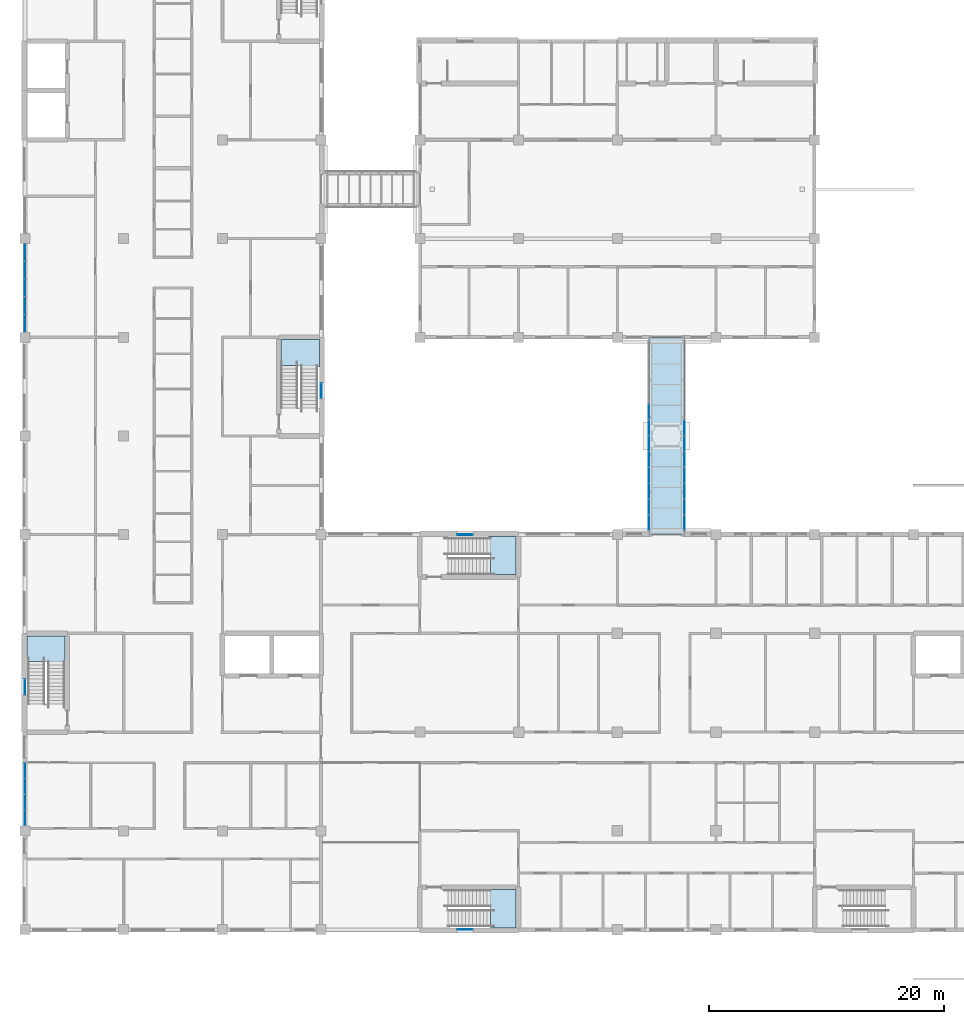
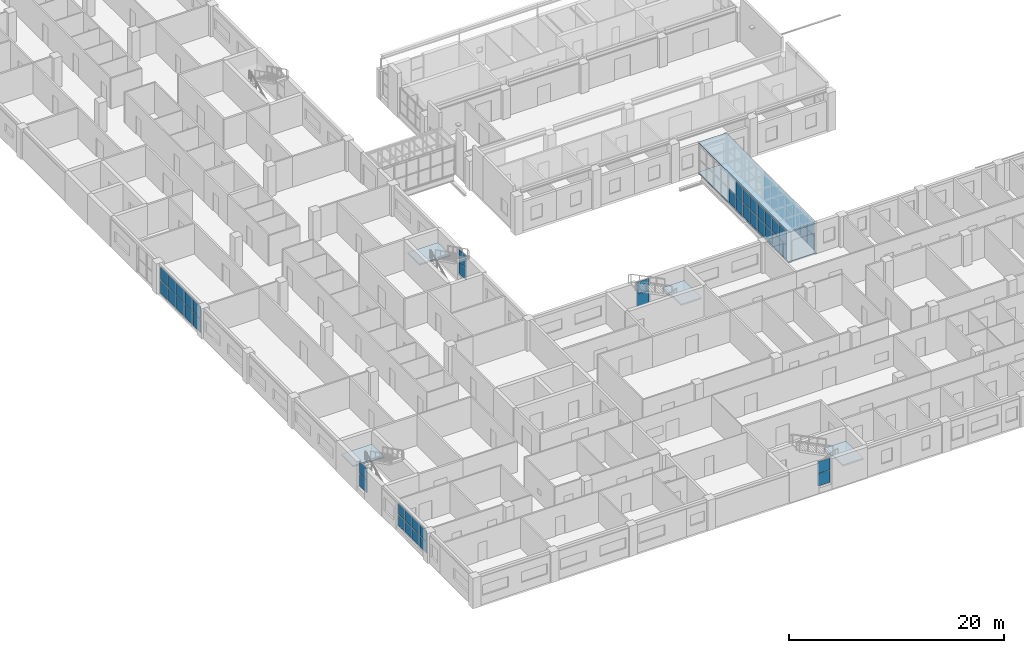
# One storey, part 43 of 94: 55 plates, 6 slabs, 12 elements without a shape of their own.
"""IFC4 building model written with IfcOpenShell, lengths in metres."""

from ifc_helpers import new_model, si_unit, direction, frame, origin, origin_2d, place, context, subcontext, project, spatial, polyline, rectangle, outline, extrude, material, layer, layer_set, type_object, element, aggregate, save


model = new_model("IFC4")

# Units and contexts
model_context = context("Model", 3, precision=1e-05, world=origin(), true_north=direction((0.0, 1.0)))
body_context = subcontext(model_context, "Body", "Model", "MODEL_VIEW")
ifc_project = project(units=[si_unit("LENGTHUNIT", "METRE"), si_unit("AREAUNIT", "SQUARE_METRE"), si_unit("VOLUMEUNIT", "CUBIC_METRE"), si_unit("PLANEANGLEUNIT", "RADIAN"), si_unit("MASSUNIT", "GRAM", prefix="KILO")], contexts=[model_context])

# Site, building, storey
site_placement = place(None, origin())
site = spatial("IfcSite", under=ifc_project, at=site_placement, CompositionType="ELEMENT")
building_placement = place(site_placement, origin())
building = spatial("IfcBuilding", under=site, at=building_placement, Name="Yavir Park General Hospital", CompositionType="ELEMENT")
storey_placement = place(building_placement, frame((0.0, 0.0, 4.5)))
storey = spatial("IfcBuildingStorey", under=building, at=storey_placement, Name="L01", CompositionType="ELEMENT", Elevation=4.5)

# Curtain wall, plates
ifc_material_1 = material(Name="Aluminium curtain wall frame with insulated glazing", Category="aluminium")
curtain_wall_type_1 = type_object("IfcCurtainWallType", Name="Bridge enclosure glazing, 3250 high, 1400 module", PredefinedType="NOTDEFINED", material=ifc_material_1)
curtain_wall_1_placement = place(storey_placement, origin())
curtain_wall_1 = element("IfcCurtainWall", 1, at=curtain_wall_1_placement, inside=storey, type_object=curtain_wall_type_1, Name="CW41 L01-024", PredefinedType="NOTDEFINED")
ifc_material_2 = material(Name="Solar-control insulated glazed unit 40 mm")
ifc_layer_1 = layer(ifc_material_2, 0.0400390625)
ifc_layer_set_1 = layer_set([ifc_layer_1], Name="Solar-control insulated glazed unit 40 mm")
plate_type_1 = type_object("IfcPlateType", Name="Bridge enclosure glazing, 3250 high panel 40", PredefinedType="CURTAIN_PANEL", material=ifc_layer_set_1)
plate_1_placement = place(storey_placement, frame((53.10009765625, 34.638916015625, 0.06005859375), z_axis=(0.0, 0.0, 1.0), x_axis=(0.0, 1.0, 0.0)))
plate_1 = element("IfcPlate", 2, at=plate_1_placement, type_object=plate_type_1, Name="CW41 panel 1.1", PredefinedType="CURTAIN_PANEL", context=body_context, shape_type="SweptSolid", body=[
    extrude(rectangle(XDim=1.2578125, YDim=0.0400390625, at=origin_2d()), origin(), (0.0, 0.0, 1.0), 1.534912109375),
])
plate_2_placement = place(storey_placement, frame((53.10009765625, 34.638916015625, 1.6552734375), z_axis=(0.0, 0.0, 1.0), x_axis=(0.0, 1.0, 0.0)))
plate_2 = element("IfcPlate", 3, at=plate_2_placement, type_object=plate_type_1, Name="CW41 panel 1.2", PredefinedType="CURTAIN_PANEL", context=body_context, shape_type="SweptSolid", body=[
    extrude(rectangle(XDim=1.2578125, YDim=0.0400390625, at=origin_2d()), origin(), (0.0, 0.0, 1.0), 1.534912109375),
])
plate_3_placement = place(storey_placement, frame((53.10009765625, 35.971923828125, 0.06005859375), z_axis=(0.0, 0.0, 1.0), x_axis=(0.0, 1.0, 0.0)))
plate_3 = element("IfcPlate", 4, at=plate_3_placement, type_object=plate_type_1, Name="CW41 panel 2.1", PredefinedType="CURTAIN_PANEL", context=body_context, shape_type="SweptSolid", body=[
    extrude(rectangle(XDim=1.287841796875, YDim=0.0400390625, at=origin_2d()), origin(), (0.0, 0.0, 1.0), 1.534912109375),
])
plate_4_placement = place(storey_placement, frame((53.10009765625, 35.971923828125, 1.6552734375), z_axis=(0.0, 0.0, 1.0), x_axis=(0.0, 1.0, 0.0)))
plate_4 = element("IfcPlate", 5, at=plate_4_placement, type_object=plate_type_1, Name="CW41 panel 2.2", PredefinedType="CURTAIN_PANEL", context=body_context, shape_type="SweptSolid", body=[
    extrude(rectangle(XDim=1.287841796875, YDim=0.0400390625, at=origin_2d()), origin(), (0.0, 0.0, 1.0), 1.534912109375),
])
plate_5_placement = place(storey_placement, frame((53.10009765625, 37.31982421875, 0.06005859375), z_axis=(0.0, 0.0, 1.0), x_axis=(0.0, 1.0, 0.0)))
plate_5 = element("IfcPlate", 6, at=plate_5_placement, type_object=plate_type_1, Name="CW41 panel 3.1", PredefinedType="CURTAIN_PANEL", context=body_context, shape_type="SweptSolid", body=[
    extrude(rectangle(XDim=1.287841796875, YDim=0.0400390625, at=origin_2d()), origin(), (0.0, 0.0, 1.0), 1.534912109375),
])
plate_6_placement = place(storey_placement, frame((53.10009765625, 37.31982421875, 1.6552734375), z_axis=(0.0, 0.0, 1.0), x_axis=(0.0, 1.0, 0.0)))
plate_6 = element("IfcPlate", 7, at=plate_6_placement, type_object=plate_type_1, Name="CW41 panel 3.2", PredefinedType="CURTAIN_PANEL", context=body_context, shape_type="SweptSolid", body=[
    extrude(rectangle(XDim=1.287841796875, YDim=0.0400390625, at=origin_2d()), origin(), (0.0, 0.0, 1.0), 1.534912109375),
])
plate_7_placement = place(storey_placement, frame((53.10009765625, 38.667724609375, 0.06005859375), z_axis=(0.0, 0.0, 1.0), x_axis=(0.0, 1.0, 0.0)))
plate_7 = element("IfcPlate", 8, at=plate_7_placement, type_object=plate_type_1, Name="CW41 panel 4.1", PredefinedType="CURTAIN_PANEL", context=body_context, shape_type="SweptSolid", body=[
    extrude(rectangle(XDim=1.287841796875, YDim=0.0400390625, at=origin_2d()), origin(), (0.0, 0.0, 1.0), 1.534912109375),
])
plate_8_placement = place(storey_placement, frame((53.10009765625, 38.667724609375, 1.6552734375), z_axis=(0.0, 0.0, 1.0), x_axis=(0.0, 1.0, 0.0)))
plate_8 = element("IfcPlate", 9, at=plate_8_placement, type_object=plate_type_1, Name="CW41 panel 4.2", PredefinedType="CURTAIN_PANEL", context=body_context, shape_type="SweptSolid", body=[
    extrude(rectangle(XDim=1.287841796875, YDim=0.0400390625, at=origin_2d()), origin(), (0.0, 0.0, 1.0), 1.534912109375),
])
plate_9_placement = place(storey_placement, frame((53.10009765625, 40.015625, 0.06005859375), z_axis=(0.0, 0.0, 1.0), x_axis=(0.0, 1.0, 0.0)))
plate_9 = element("IfcPlate", 10, at=plate_9_placement, type_object=plate_type_1, Name="CW41 panel 5.1", PredefinedType="CURTAIN_PANEL", context=body_context, shape_type="SweptSolid", body=[
    extrude(rectangle(XDim=1.287841796875, YDim=0.0400390625, at=origin_2d()), origin(), (0.0, 0.0, 1.0), 1.534912109375),
])
plate_10_placement = place(storey_placement, frame((53.10009765625, 40.015625, 1.6552734375), z_axis=(0.0, 0.0, 1.0), x_axis=(0.0, 1.0, 0.0)))
plate_10 = element("IfcPlate", 11, at=plate_10_placement, type_object=plate_type_1, Name="CW41 panel 5.2", PredefinedType="CURTAIN_PANEL", context=body_context, shape_type="SweptSolid", body=[
    extrude(rectangle(XDim=1.287841796875, YDim=0.0400390625, at=origin_2d()), origin(), (0.0, 0.0, 1.0), 1.534912109375),
])
plate_11_placement = place(storey_placement, frame((53.10009765625, 41.363525390625, 0.06005859375), z_axis=(0.0, 0.0, 1.0), x_axis=(0.0, 1.0, 0.0)))
plate_11 = element("IfcPlate", 12, at=plate_11_placement, type_object=plate_type_1, Name="CW41 panel 6.1", PredefinedType="CURTAIN_PANEL", context=body_context, shape_type="SweptSolid", body=[
    extrude(rectangle(XDim=1.287841796875, YDim=0.0400390625, at=origin_2d()), origin(), (0.0, 0.0, 1.0), 1.534912109375),
])
plate_12_placement = place(storey_placement, frame((53.10009765625, 41.363525390625, 1.6552734375), z_axis=(0.0, 0.0, 1.0), x_axis=(0.0, 1.0, 0.0)))
plate_12 = element("IfcPlate", 13, at=plate_12_placement, type_object=plate_type_1, Name="CW41 panel 6.2", PredefinedType="CURTAIN_PANEL", context=body_context, shape_type="SweptSolid", body=[
    extrude(rectangle(XDim=1.287841796875, YDim=0.0400390625, at=origin_2d()), origin(), (0.0, 0.0, 1.0), 1.534912109375),
])
plate_13_placement = place(storey_placement, frame((53.10009765625, 42.71142578125, 0.06005859375), z_axis=(0.0, 0.0, 1.0), x_axis=(0.0, 1.0, 0.0)))
plate_13 = element("IfcPlate", 14, at=plate_13_placement, type_object=plate_type_1, Name="CW41 panel 7.1", PredefinedType="CURTAIN_PANEL", context=body_context, shape_type="SweptSolid", body=[
    extrude(rectangle(XDim=1.287841796875, YDim=0.0400390625, at=origin_2d()), origin(), (0.0, 0.0, 1.0), 1.534912109375),
])
plate_14_placement = place(storey_placement, frame((53.10009765625, 42.71142578125, 1.6552734375), z_axis=(0.0, 0.0, 1.0), x_axis=(0.0, 1.0, 0.0)))
plate_14 = element("IfcPlate", 15, at=plate_14_placement, type_object=plate_type_1, Name="CW41 panel 7.2", PredefinedType="CURTAIN_PANEL", context=body_context, shape_type="SweptSolid", body=[
    extrude(rectangle(XDim=1.287841796875, YDim=0.0400390625, at=origin_2d()), origin(), (0.0, 0.0, 1.0), 1.534912109375),
])
plate_15_placement = place(storey_placement, frame((53.10009765625, 44.059326171875, 0.06005859375), z_axis=(0.0, 0.0, 1.0), x_axis=(0.0, 1.0, 0.0)))
plate_15 = element("IfcPlate", 16, at=plate_15_placement, type_object=plate_type_1, Name="CW41 panel 8.1", PredefinedType="CURTAIN_PANEL", context=body_context, shape_type="SweptSolid", body=[
    extrude(rectangle(XDim=1.287841796875, YDim=0.0400390625, at=origin_2d()), origin(), (0.0, 0.0, 1.0), 1.534912109375),
])
aggregate(curtain_wall_1, [plate_1, plate_2, plate_3, plate_4, plate_5, plate_6, plate_7, plate_8, plate_9, plate_10, plate_11, plate_12, plate_13, plate_14, plate_15])

curtain_wall_2_placement = place(storey_placement, origin())
curtain_wall_2 = element("IfcCurtainWall", 17, at=curtain_wall_2_placement, inside=storey, type_object=curtain_wall_type_1, Name="CW41 L01-025", PredefinedType="NOTDEFINED")
plate_16_placement = place(storey_placement, frame((56.10009765625, 34.638916015625, 0.06005859375), z_axis=(0.0, 0.0, 1.0), x_axis=(0.0, 1.0, 0.0)))
plate_16 = element("IfcPlate", 18, at=plate_16_placement, type_object=plate_type_1, Name="CW41 panel 1.1", PredefinedType="CURTAIN_PANEL", context=body_context, shape_type="SweptSolid", body=[
    extrude(rectangle(XDim=1.2578125, YDim=0.0400390625, at=origin_2d()), origin(), (0.0, 0.0, 1.0), 1.534912109375),
])
plate_17_placement = place(storey_placement, frame((56.10009765625, 34.638916015625, 1.6552734375), z_axis=(0.0, 0.0, 1.0), x_axis=(0.0, 1.0, 0.0)))
plate_17 = element("IfcPlate", 19, at=plate_17_placement, type_object=plate_type_1, Name="CW41 panel 1.2", PredefinedType="CURTAIN_PANEL", context=body_context, shape_type="SweptSolid", body=[
    extrude(rectangle(XDim=1.2578125, YDim=0.0400390625, at=origin_2d()), origin(), (0.0, 0.0, 1.0), 1.534912109375),
])
plate_18_placement = place(storey_placement, frame((56.10009765625, 35.971923828125, 0.06005859375), z_axis=(0.0, 0.0, 1.0), x_axis=(0.0, 1.0, 0.0)))
plate_18 = element("IfcPlate", 20, at=plate_18_placement, type_object=plate_type_1, Name="CW41 panel 2.1", PredefinedType="CURTAIN_PANEL", context=body_context, shape_type="SweptSolid", body=[
    extrude(rectangle(XDim=1.287841796875, YDim=0.0400390625, at=origin_2d()), origin(), (0.0, 0.0, 1.0), 1.534912109375),
])
plate_19_placement = place(storey_placement, frame((56.10009765625, 35.971923828125, 1.6552734375), z_axis=(0.0, 0.0, 1.0), x_axis=(0.0, 1.0, 0.0)))
plate_19 = element("IfcPlate", 21, at=plate_19_placement, type_object=plate_type_1, Name="CW41 panel 2.2", PredefinedType="CURTAIN_PANEL", context=body_context, shape_type="SweptSolid", body=[
    extrude(rectangle(XDim=1.287841796875, YDim=0.0400390625, at=origin_2d()), origin(), (0.0, 0.0, 1.0), 1.534912109375),
])
plate_20_placement = place(storey_placement, frame((56.10009765625, 37.31982421875, 0.06005859375), z_axis=(0.0, 0.0, 1.0), x_axis=(0.0, 1.0, 0.0)))
plate_20 = element("IfcPlate", 22, at=plate_20_placement, type_object=plate_type_1, Name="CW41 panel 3.1", PredefinedType="CURTAIN_PANEL", context=body_context, shape_type="SweptSolid", body=[
    extrude(rectangle(XDim=1.287841796875, YDim=0.0400390625, at=origin_2d()), origin(), (0.0, 0.0, 1.0), 1.534912109375),
])
plate_21_placement = place(storey_placement, frame((56.10009765625, 37.31982421875, 1.6552734375), z_axis=(0.0, 0.0, 1.0), x_axis=(0.0, 1.0, 0.0)))
plate_21 = element("IfcPlate", 23, at=plate_21_placement, type_object=plate_type_1, Name="CW41 panel 3.2", PredefinedType="CURTAIN_PANEL", context=body_context, shape_type="SweptSolid", body=[
    extrude(rectangle(XDim=1.287841796875, YDim=0.0400390625, at=origin_2d()), origin(), (0.0, 0.0, 1.0), 1.534912109375),
])
plate_22_placement = place(storey_placement, frame((56.10009765625, 38.667724609375, 0.06005859375), z_axis=(0.0, 0.0, 1.0), x_axis=(0.0, 1.0, 0.0)))
plate_22 = element("IfcPlate", 24, at=plate_22_placement, type_object=plate_type_1, Name="CW41 panel 4.1", PredefinedType="CURTAIN_PANEL", context=body_context, shape_type="SweptSolid", body=[
    extrude(rectangle(XDim=1.287841796875, YDim=0.0400390625, at=origin_2d()), origin(), (0.0, 0.0, 1.0), 1.534912109375),
])
plate_23_placement = place(storey_placement, frame((56.10009765625, 38.667724609375, 1.6552734375), z_axis=(0.0, 0.0, 1.0), x_axis=(0.0, 1.0, 0.0)))
plate_23 = element("IfcPlate", 25, at=plate_23_placement, type_object=plate_type_1, Name="CW41 panel 4.2", PredefinedType="CURTAIN_PANEL", context=body_context, shape_type="SweptSolid", body=[
    extrude(rectangle(XDim=1.287841796875, YDim=0.0400390625, at=origin_2d()), origin(), (0.0, 0.0, 1.0), 1.534912109375),
])
plate_24_placement = place(storey_placement, frame((56.10009765625, 40.015625, 0.06005859375), z_axis=(0.0, 0.0, 1.0), x_axis=(0.0, 1.0, 0.0)))
plate_24 = element("IfcPlate", 26, at=plate_24_placement, type_object=plate_type_1, Name="CW41 panel 5.1", PredefinedType="CURTAIN_PANEL", context=body_context, shape_type="SweptSolid", body=[
    extrude(rectangle(XDim=1.287841796875, YDim=0.0400390625, at=origin_2d()), origin(), (0.0, 0.0, 1.0), 1.534912109375),
])
plate_25_placement = place(storey_placement, frame((56.10009765625, 40.015625, 1.6552734375), z_axis=(0.0, 0.0, 1.0), x_axis=(0.0, 1.0, 0.0)))
plate_25 = element("IfcPlate", 27, at=plate_25_placement, type_object=plate_type_1, Name="CW41 panel 5.2", PredefinedType="CURTAIN_PANEL", context=body_context, shape_type="SweptSolid", body=[
    extrude(rectangle(XDim=1.287841796875, YDim=0.0400390625, at=origin_2d()), origin(), (0.0, 0.0, 1.0), 1.534912109375),
])
plate_26_placement = place(storey_placement, frame((56.10009765625, 41.363525390625, 0.06005859375), z_axis=(0.0, 0.0, 1.0), x_axis=(0.0, 1.0, 0.0)))
plate_26 = element("IfcPlate", 28, at=plate_26_placement, type_object=plate_type_1, Name="CW41 panel 6.1", PredefinedType="CURTAIN_PANEL", context=body_context, shape_type="SweptSolid", body=[
    extrude(rectangle(XDim=1.287841796875, YDim=0.0400390625, at=origin_2d()), origin(), (0.0, 0.0, 1.0), 1.534912109375),
])
plate_27_placement = place(storey_placement, frame((56.10009765625, 41.363525390625, 1.6552734375), z_axis=(0.0, 0.0, 1.0), x_axis=(0.0, 1.0, 0.0)))
plate_27 = element("IfcPlate", 29, at=plate_27_placement, type_object=plate_type_1, Name="CW41 panel 6.2", PredefinedType="CURTAIN_PANEL", context=body_context, shape_type="SweptSolid", body=[
    extrude(rectangle(XDim=1.287841796875, YDim=0.0400390625, at=origin_2d()), origin(), (0.0, 0.0, 1.0), 1.534912109375),
])
plate_28_placement = place(storey_placement, frame((56.10009765625, 42.71142578125, 0.06005859375), z_axis=(0.0, 0.0, 1.0), x_axis=(0.0, 1.0, 0.0)))
plate_28 = element("IfcPlate", 30, at=plate_28_placement, type_object=plate_type_1, Name="CW41 panel 7.1", PredefinedType="CURTAIN_PANEL", context=body_context, shape_type="SweptSolid", body=[
    extrude(rectangle(XDim=1.287841796875, YDim=0.0400390625, at=origin_2d()), origin(), (0.0, 0.0, 1.0), 1.534912109375),
])
plate_29_placement = place(storey_placement, frame((56.10009765625, 42.71142578125, 1.6552734375), z_axis=(0.0, 0.0, 1.0), x_axis=(0.0, 1.0, 0.0)))
plate_29 = element("IfcPlate", 31, at=plate_29_placement, type_object=plate_type_1, Name="CW41 panel 7.2", PredefinedType="CURTAIN_PANEL", context=body_context, shape_type="SweptSolid", body=[
    extrude(rectangle(XDim=1.287841796875, YDim=0.0400390625, at=origin_2d()), origin(), (0.0, 0.0, 1.0), 1.534912109375),
])
aggregate(curtain_wall_2, [plate_16, plate_17, plate_18, plate_19, plate_20, plate_21, plate_22, plate_23, plate_24, plate_25, plate_26, plate_27, plate_28, plate_29])

# Stair, slab
ifc_material_3 = material(Name="Concrete C30/37", Category="concrete")
stair_type = type_object("IfcStairType", Name="Patient escape stair, 26 risers of 150 mm, 1400 mm flights", PredefinedType="HALF_TURN_STAIR", material=ifc_material_3)
stair_1_placement = place(storey_placement, origin())
stair_1 = element("IfcStair", 32, at=stair_1_placement, inside=storey, type_object=stair_type, Name="Stair SU1, L01 to L02", PredefinedType="HALF_TURN_STAIR")
ifc_material_4 = material(Name="Concrete C30/37", Category="concrete")
ifc_layer_2 = layer(ifc_material_4, 0.159912109375)
ifc_layer_set_2 = layer_set([ifc_layer_2], Name="Concrete C30/37")
slab_type_1 = type_object("IfcSlabType", Name="Patient escape stair half landing, reinforced concrete 160 mm", PredefinedType="LANDING", material=ifc_layer_set_2)
slab_1_placement = place(storey_placement, frame((0.0, 0.0, 1.7900390625)))
slab_1 = element("IfcSlab", 33, at=slab_1_placement, type_object=slab_type_1, Name="SU1 landing 1", PredefinedType="LANDING", context=body_context, shape_type="SweptSolid", body=[
    extrude(outline(polyline([(0.14990234375, 22.798583984375), (0.14990234375, 25.0), (3.39990234375, 25.0), (3.39990234375, 22.64990234375), (1.949951171875, 22.64990234375), (1.949951171875, 22.798583984375), (0.14990234375, 22.798583984375)])), origin(), (0.0, 0.0, 1.0), 0.159912109375),
])
aggregate(stair_1, [slab_1])

stair_2_placement = place(storey_placement, origin())
stair_2 = element("IfcStair", 34, at=stair_2_placement, inside=storey, type_object=stair_type, Name="Stair SU2, L01 to L02", PredefinedType="HALF_TURN_STAIR")
slab_2_placement = place(storey_placement, frame((0.0, 0.0, 1.7900390625)))
slab_2 = element("IfcSlab", 35, at=slab_2_placement, type_object=slab_type_1, Name="SU2 landing 1", PredefinedType="LANDING", context=body_context, shape_type="SweptSolid", body=[
    extrude(outline(polyline([(39.598388671875, 0.14990234375), (41.800048828125, 0.14990234375), (41.800048828125, 3.39990234375), (39.449951171875, 3.39990234375), (39.449951171875, 1.949951171875), (39.598388671875, 1.949951171875), (39.598388671875, 0.14990234375)])), origin(), (0.0, 0.0, 1.0), 0.159912109375),
])
aggregate(stair_2, [slab_2])

stair_3_placement = place(storey_placement, origin())
stair_3 = element("IfcStair", 36, at=stair_3_placement, inside=storey, type_object=stair_type, Name="Stair PN1, L01 to L02", PredefinedType="HALF_TURN_STAIR")
slab_3_placement = place(storey_placement, frame((0.0, 0.0, 1.7900390625)))
slab_3 = element("IfcSlab", 37, at=slab_3_placement, type_object=slab_type_1, Name="PN1 landing 1", PredefinedType="LANDING", context=body_context, shape_type="SweptSolid", body=[
    extrude(outline(polyline([(39.598388671875, 30.199951171875), (41.800048828125, 30.199951171875), (41.800048828125, 33.449951171875), (39.449951171875, 33.449951171875), (39.449951171875, 31.89990234375), (39.598388671875, 31.89990234375), (39.598388671875, 30.199951171875)])), origin(), (0.0, 0.0, 1.0), 0.159912109375),
])
aggregate(stair_3, [slab_3])

stair_4_placement = place(storey_placement, origin())
stair_4 = element("IfcStair", 38, at=stair_4_placement, inside=storey, type_object=stair_type, Name="Stair SW1, L01 to L02", PredefinedType="HALF_TURN_STAIR")
slab_4_placement = place(storey_placement, frame((0.0, 0.0, 1.7900390625)))
slab_4 = element("IfcSlab", 39, at=slab_4_placement, type_object=slab_type_1, Name="SW1 landing 1", PredefinedType="LANDING", context=body_context, shape_type="SweptSolid", body=[
    extrude(outline(polyline([(21.800048828125, 47.99853515625), (21.800048828125, 50.199951171875), (25.050048828125, 50.199951171875), (25.050048828125, 47.85009765625), (23.5, 47.85009765625), (23.5, 47.99853515625), (21.800048828125, 47.99853515625)])), origin(), (0.0, 0.0, 1.0), 0.159912109375),
])
aggregate(stair_4, [slab_4])

# Curtain wall, plates
ifc_material_5 = material(Name="Aluminium curtain wall frame with insulated glazing", Category="aluminium")
curtain_wall_type_2 = type_object("IfcCurtainWallType", Name="Pool hall glazing, 3150 high, 1400 module", PredefinedType="NOTDEFINED", material=ifc_material_5)
curtain_wall_3_placement = place(storey_placement, origin())
curtain_wall_3 = element("IfcCurtainWall", 40, at=curtain_wall_3_placement, inside=storey, type_object=curtain_wall_type_2, Name="CW20 L01-017", PredefinedType="NOTDEFINED")
ifc_material_6 = material(Name="Solar-control insulated glazed unit 40 mm")
ifc_layer_3 = layer(ifc_material_6, 0.0400390625)
ifc_layer_set_3 = layer_set([ifc_layer_3], Name="Solar-control insulated glazed unit 40 mm")
plate_type_2 = type_object("IfcPlateType", Name="Pool hall glazing, 3150 high panel 40", PredefinedType="CURTAIN_PANEL", material=ifc_layer_set_3)
plate_30_placement = place(storey_placement, frame((0.0, 51.594970703125, 0.06005859375), z_axis=(0.0, 0.0, 1.0), x_axis=(0.0, 1.0, 0.0)))
plate_30 = element("IfcPlate", 41, at=plate_30_placement, type_object=plate_type_2, Name="CW20 panel 1.1", PredefinedType="CURTAIN_PANEL", context=body_context, shape_type="SweptSolid", body=[
    extrude(rectangle(XDim=1.419921875, YDim=0.0400390625, at=origin_2d()), origin(), (0.0, 0.0, 1.0), 1.485107421875),
])
plate_31_placement = place(storey_placement, frame((0.0, 51.594970703125, 1.60498046875), z_axis=(0.0, 0.0, 1.0), x_axis=(0.0, 1.0, 0.0)))
plate_31 = element("IfcPlate", 42, at=plate_31_placement, type_object=plate_type_2, Name="CW20 panel 1.2", PredefinedType="CURTAIN_PANEL", context=body_context, shape_type="SweptSolid", body=[
    extrude(rectangle(XDim=1.419921875, YDim=0.0400390625, at=origin_2d()), origin(), (0.0, 0.0, 1.0), 1.485107421875),
])
plate_32_placement = place(storey_placement, frame((0.0, 53.090087890625, 0.06005859375), z_axis=(0.0, 0.0, 1.0), x_axis=(0.0, 1.0, 0.0)))
plate_32 = element("IfcPlate", 43, at=plate_32_placement, type_object=plate_type_2, Name="CW20 panel 2.1", PredefinedType="CURTAIN_PANEL", context=body_context, shape_type="SweptSolid", body=[
    extrude(rectangle(XDim=1.449951171875, YDim=0.0400390625, at=origin_2d()), origin(), (0.0, 0.0, 1.0), 1.485107421875),
])
plate_33_placement = place(storey_placement, frame((0.0, 53.090087890625, 1.60498046875), z_axis=(0.0, 0.0, 1.0), x_axis=(0.0, 1.0, 0.0)))
plate_33 = element("IfcPlate", 44, at=plate_33_placement, type_object=plate_type_2, Name="CW20 panel 2.2", PredefinedType="CURTAIN_PANEL", context=body_context, shape_type="SweptSolid", body=[
    extrude(rectangle(XDim=1.449951171875, YDim=0.0400390625, at=origin_2d()), origin(), (0.0, 0.0, 1.0), 1.485107421875),
])
plate_34_placement = place(storey_placement, frame((0.0, 54.60009765625, 0.06005859375), z_axis=(0.0, 0.0, 1.0), x_axis=(0.0, 1.0, 0.0)))
plate_34 = element("IfcPlate", 45, at=plate_34_placement, type_object=plate_type_2, Name="CW20 panel 3.1", PredefinedType="CURTAIN_PANEL", context=body_context, shape_type="SweptSolid", body=[
    extrude(rectangle(XDim=1.449951171875, YDim=0.0400390625, at=origin_2d()), origin(), (0.0, 0.0, 1.0), 1.485107421875),
])
plate_35_placement = place(storey_placement, frame((0.0, 54.60009765625, 1.60498046875), z_axis=(0.0, 0.0, 1.0), x_axis=(0.0, 1.0, 0.0)))
plate_35 = element("IfcPlate", 46, at=plate_35_placement, type_object=plate_type_2, Name="CW20 panel 3.2", PredefinedType="CURTAIN_PANEL", context=body_context, shape_type="SweptSolid", body=[
    extrude(rectangle(XDim=1.449951171875, YDim=0.0400390625, at=origin_2d()), origin(), (0.0, 0.0, 1.0), 1.485107421875),
])
plate_36_placement = place(storey_placement, frame((0.0, 56.110107421875, 0.06005859375), z_axis=(0.0, 0.0, 1.0), x_axis=(0.0, 1.0, 0.0)))
plate_36 = element("IfcPlate", 47, at=plate_36_placement, type_object=plate_type_2, Name="CW20 panel 4.1", PredefinedType="CURTAIN_PANEL", context=body_context, shape_type="SweptSolid", body=[
    extrude(rectangle(XDim=1.449951171875, YDim=0.0400390625, at=origin_2d()), origin(), (0.0, 0.0, 1.0), 1.485107421875),
])
plate_37_placement = place(storey_placement, frame((0.0, 56.110107421875, 1.60498046875), z_axis=(0.0, 0.0, 1.0), x_axis=(0.0, 1.0, 0.0)))
plate_37 = element("IfcPlate", 48, at=plate_37_placement, type_object=plate_type_2, Name="CW20 panel 4.2", PredefinedType="CURTAIN_PANEL", context=body_context, shape_type="SweptSolid", body=[
    extrude(rectangle(XDim=1.449951171875, YDim=0.0400390625, at=origin_2d()), origin(), (0.0, 0.0, 1.0), 1.485107421875),
])
plate_38_placement = place(storey_placement, frame((0.0, 57.60498046875, 0.06005859375), z_axis=(0.0, 0.0, 1.0), x_axis=(0.0, 1.0, 0.0)))
plate_38 = element("IfcPlate", 49, at=plate_38_placement, type_object=plate_type_2, Name="CW20 panel 5.1", PredefinedType="CURTAIN_PANEL", context=body_context, shape_type="SweptSolid", body=[
    extrude(rectangle(XDim=1.419921875, YDim=0.0400390625, at=origin_2d()), origin(), (0.0, 0.0, 1.0), 1.485107421875),
])
plate_39_placement = place(storey_placement, frame((0.0, 57.60498046875, 1.60498046875), z_axis=(0.0, 0.0, 1.0), x_axis=(0.0, 1.0, 0.0)))
plate_39 = element("IfcPlate", 50, at=plate_39_placement, type_object=plate_type_2, Name="CW20 panel 5.2", PredefinedType="CURTAIN_PANEL", context=body_context, shape_type="SweptSolid", body=[
    extrude(rectangle(XDim=1.419921875, YDim=0.0400390625, at=origin_2d()), origin(), (0.0, 0.0, 1.0), 1.485107421875),
])
aggregate(curtain_wall_3, [plate_30, plate_31, plate_32, plate_33, plate_34, plate_35, plate_36, plate_37, plate_38, plate_39])

# Slabs
ifc_material_7 = material(Name="Concrete C35/45", Category="concrete")
ifc_layer_4 = layer(ifc_material_7, 0.14990234375)
ifc_layer_set_4 = layer_set([ifc_layer_4], Name="Concrete C35/45")
slab_type_2 = type_object("IfcSlabType", Name="RC SLAB FLOOR 150", PredefinedType="FLOOR", material=ifc_layer_set_4)
slab_5_placement = place(storey_placement, frame((0.0, 0.0, -0.14990234375)))
element("IfcSlab", 51, at=slab_5_placement, inside=storey, type_object=slab_type_2, Name="S:BR_S:deck", PredefinedType="FLOOR", context=body_context, shape_type="SweptSolid", body=[
    extrude(outline(polyline([(56.10009765625, 33.60009765625), (56.10009765625, 50.39990234375), (53.10009765625, 50.39990234375), (53.10009765625, 33.60009765625), (56.10009765625, 33.60009765625)])), origin(), (0.0, 0.0, 1.0), 0.14990234375),
])
ifc_material_8 = material(Name="Toughened safety glass", Category="glass")
ifc_layer_5 = layer(ifc_material_8, 0.14990234375)
ifc_layer_set_5 = layer_set([ifc_layer_5], Name="Toughened safety glass")
slab_type_3 = type_object("IfcSlabType", Name="Safety glass roof panel 150", PredefinedType="ROOF", material=ifc_layer_set_5)
slab_6_placement = place(storey_placement, frame((53.10009765625, 33.60009765625, 3.39990234375), z_axis=(0.0, 0.0, 1.0), x_axis=(1.0, 0.0, 0.0)))
element("IfcSlab", 52, at=slab_6_placement, inside=storey, type_object=slab_type_3, Name="South bridge roof glazing BRS-P1", PredefinedType="ROOF", context=body_context, shape_type="SweptSolid", body=[
    extrude(outline(polyline([(0.0, 0.0), (3.0, 0.0), (3.0, 16.7998046875), (0.0, 16.7998046875), (0.0, 0.0)])), origin(), (0.0, 0.0, -1.0), 0.14990234375),
])

# Curtain wall, plates
ifc_material_9 = material(Name="Aluminium curtain wall frame with insulated glazing", Category="aluminium")
curtain_wall_type_3 = type_object("IfcCurtainWallType", Name="Stair light slot, podium, 2850 high, 1400 module", PredefinedType="NOTDEFINED", material=ifc_material_9)
curtain_wall_4_placement = place(storey_placement, origin())
curtain_wall_4 = element("IfcCurtainWall", 53, at=curtain_wall_4_placement, inside=storey, type_object=curtain_wall_type_3, Name="CW9 L01-001", PredefinedType="NOTDEFINED")
ifc_material_10 = material(Name="Fire-resisting glazed unit 70 mm")
ifc_layer_6 = layer(ifc_material_10, 0.070068359375)
ifc_layer_set_6 = layer_set([ifc_layer_6], Name="Fire-resisting glazed unit 70 mm")
plate_type_3 = type_object("IfcPlateType", Name="Stair light slot, podium, 2850 high panel 70", PredefinedType="CURTAIN_PANEL", material=ifc_layer_set_6)
plate_40_placement = place(storey_placement, frame((37.449951171875, 0.0, 0.64990234375), z_axis=(0.0, 0.0, 1.0), x_axis=(1.0, 0.0, 0.0)))
plate_40 = element("IfcPlate", 54, at=plate_40_placement, type_object=plate_type_3, Name="CW9 panel 1.1", PredefinedType="CURTAIN_PANEL", context=body_context, shape_type="SweptSolid", body=[
    extrude(rectangle(XDim=1.300048828125, YDim=0.070068359375, at=origin_2d()), origin(), (0.0, 0.0, 1.0), 1.35009765625),
])
plate_41_placement = place(storey_placement, frame((37.449951171875, 0.0, 2.050048828125), z_axis=(0.0, 0.0, 1.0), x_axis=(1.0, 0.0, 0.0)))
plate_41 = element("IfcPlate", 55, at=plate_41_placement, type_object=plate_type_3, Name="CW9 panel 1.2", PredefinedType="CURTAIN_PANEL", context=body_context, shape_type="SweptSolid", body=[
    extrude(rectangle(XDim=1.300048828125, YDim=0.070068359375, at=origin_2d()), origin(), (0.0, 0.0, 1.0), 1.35009765625),
])
aggregate(curtain_wall_4, [plate_40, plate_41])

curtain_wall_5_placement = place(storey_placement, origin())
curtain_wall_5 = element("IfcCurtainWall", 56, at=curtain_wall_5_placement, inside=storey, type_object=curtain_wall_type_3, Name="CW9 L01-005", PredefinedType="NOTDEFINED")
plate_42_placement = place(storey_placement, frame((37.449951171875, 33.60009765625, 0.64990234375), z_axis=(0.0, 0.0, 1.0), x_axis=(1.0, 0.0, 0.0)))
plate_42 = element("IfcPlate", 57, at=plate_42_placement, type_object=plate_type_3, Name="CW9 panel 1.1", PredefinedType="CURTAIN_PANEL", context=body_context, shape_type="SweptSolid", body=[
    extrude(rectangle(XDim=1.300048828125, YDim=0.070068359375, at=origin_2d()), origin(), (0.0, 0.0, 1.0), 1.35009765625),
])
plate_43_placement = place(storey_placement, frame((37.449951171875, 33.60009765625, 2.050048828125), z_axis=(0.0, 0.0, 1.0), x_axis=(1.0, 0.0, 0.0)))
plate_43 = element("IfcPlate", 58, at=plate_43_placement, type_object=plate_type_3, Name="CW9 panel 1.2", PredefinedType="CURTAIN_PANEL", context=body_context, shape_type="SweptSolid", body=[
    extrude(rectangle(XDim=1.300048828125, YDim=0.070068359375, at=origin_2d()), origin(), (0.0, 0.0, 1.0), 1.35009765625),
])
aggregate(curtain_wall_5, [plate_42, plate_43])

curtain_wall_6_placement = place(storey_placement, origin())
curtain_wall_6 = element("IfcCurtainWall", 59, at=curtain_wall_6_placement, inside=storey, type_object=curtain_wall_type_3, Name="CW9 L01-016", PredefinedType="NOTDEFINED")
plate_44_placement = place(storey_placement, frame((0.0, 20.64990234375, 0.64990234375), z_axis=(0.0, 0.0, 1.0), x_axis=(0.0, 1.0, 0.0)))
plate_44 = element("IfcPlate", 60, at=plate_44_placement, type_object=plate_type_3, Name="CW9 panel 1.1", PredefinedType="CURTAIN_PANEL", context=body_context, shape_type="SweptSolid", body=[
    extrude(rectangle(XDim=1.300048828125, YDim=0.070068359375, at=origin_2d()), origin(), (0.0, 0.0, 1.0), 1.35009765625),
])
plate_45_placement = place(storey_placement, frame((0.0, 20.64990234375, 2.050048828125), z_axis=(0.0, 0.0, 1.0), x_axis=(0.0, 1.0, 0.0)))
plate_45 = element("IfcPlate", 61, at=plate_45_placement, type_object=plate_type_3, Name="CW9 panel 1.2", PredefinedType="CURTAIN_PANEL", context=body_context, shape_type="SweptSolid", body=[
    extrude(rectangle(XDim=1.300048828125, YDim=0.070068359375, at=origin_2d()), origin(), (0.0, 0.0, 1.0), 1.35009765625),
])
aggregate(curtain_wall_6, [plate_44, plate_45])

curtain_wall_7_placement = place(storey_placement, origin())
curtain_wall_7 = element("IfcCurtainWall", 62, at=curtain_wall_7_placement, inside=storey, type_object=curtain_wall_type_3, Name="CW9 L01-019", PredefinedType="NOTDEFINED")
plate_46_placement = place(storey_placement, frame((25.199951171875, 45.85009765625, 0.64990234375), z_axis=(0.0, 0.0, 1.0), x_axis=(0.0, 1.0, 0.0)))
plate_46 = element("IfcPlate", 63, at=plate_46_placement, type_object=plate_type_3, Name="CW9 panel 1.1", PredefinedType="CURTAIN_PANEL", context=body_context, shape_type="SweptSolid", body=[
    extrude(rectangle(XDim=1.300048828125, YDim=0.070068359375, at=origin_2d()), origin(), (0.0, 0.0, 1.0), 1.35009765625),
])
plate_47_placement = place(storey_placement, frame((25.199951171875, 45.85009765625, 2.050048828125), z_axis=(0.0, 0.0, 1.0), x_axis=(0.0, 1.0, 0.0)))
plate_47 = element("IfcPlate", 64, at=plate_47_placement, type_object=plate_type_3, Name="CW9 panel 1.2", PredefinedType="CURTAIN_PANEL", context=body_context, shape_type="SweptSolid", body=[
    extrude(rectangle(XDim=1.300048828125, YDim=0.070068359375, at=origin_2d()), origin(), (0.0, 0.0, 1.0), 1.35009765625),
])
aggregate(curtain_wall_7, [plate_46, plate_47])

ifc_material_11 = material(Name="Aluminium curtain wall frame with insulated glazing", Category="aluminium")
curtain_wall_type_4 = type_object("IfcCurtainWallType", Name="Waiting area glazing, 2700 high, 1400 module", PredefinedType="NOTDEFINED", material=ifc_material_11)
curtain_wall_8_placement = place(storey_placement, origin())
curtain_wall_8 = element("IfcCurtainWall", 65, at=curtain_wall_8_placement, inside=storey, type_object=curtain_wall_type_4, Name="CW16 L01-015", PredefinedType="NOTDEFINED")
ifc_material_12 = material(Name="Solar-control insulated glazed unit 40 mm")
ifc_layer_7 = layer(ifc_material_12, 0.0400390625)
ifc_layer_set_7 = layer_set([ifc_layer_7], Name="Solar-control insulated glazed unit 40 mm")
plate_type_4 = type_object("IfcPlateType", Name="Waiting area glazing, 2700 high panel 40", PredefinedType="CURTAIN_PANEL", material=ifc_layer_set_7)
plate_48_placement = place(storey_placement, frame((0.0, 9.511962890625, 0.509765625), z_axis=(0.0, 0.0, 1.0), x_axis=(0.0, 1.0, 0.0)))
plate_48 = element("IfcPlate", 66, at=plate_48_placement, type_object=plate_type_4, Name="CW16 panel 1.1", PredefinedType="CURTAIN_PANEL", context=body_context, shape_type="SweptSolid", body=[
    extrude(rectangle(XDim=1.253662109375, YDim=0.0400390625, at=origin_2d()), origin(), (0.0, 0.0, 1.0), 1.260009765625),
])
plate_49_placement = place(storey_placement, frame((0.0, 9.511962890625, 1.830078125), z_axis=(0.0, 0.0, 1.0), x_axis=(0.0, 1.0, 0.0)))
plate_49 = element("IfcPlate", 67, at=plate_49_placement, type_object=plate_type_4, Name="CW16 panel 1.2", PredefinedType="CURTAIN_PANEL", context=body_context, shape_type="SweptSolid", body=[
    extrude(rectangle(XDim=1.253662109375, YDim=0.0400390625, at=origin_2d()), origin(), (0.0, 0.0, 1.0), 1.260009765625),
])
plate_50_placement = place(storey_placement, frame((0.0, 10.840576171875, 0.509765625), z_axis=(0.0, 0.0, 1.0), x_axis=(0.0, 1.0, 0.0)))
plate_50 = element("IfcPlate", 68, at=plate_50_placement, type_object=plate_type_4, Name="CW16 panel 2.1", PredefinedType="CURTAIN_PANEL", context=body_context, shape_type="SweptSolid", body=[
    extrude(rectangle(XDim=1.28369140625, YDim=0.0400390625, at=origin_2d()), origin(), (0.0, 0.0, 1.0), 1.260009765625),
])
plate_51_placement = place(storey_placement, frame((0.0, 10.840576171875, 1.830078125), z_axis=(0.0, 0.0, 1.0), x_axis=(0.0, 1.0, 0.0)))
plate_51 = element("IfcPlate", 69, at=plate_51_placement, type_object=plate_type_4, Name="CW16 panel 2.2", PredefinedType="CURTAIN_PANEL", context=body_context, shape_type="SweptSolid", body=[
    extrude(rectangle(XDim=1.28369140625, YDim=0.0400390625, at=origin_2d()), origin(), (0.0, 0.0, 1.0), 1.260009765625),
])
plate_52_placement = place(storey_placement, frame((0.0, 12.184326171875, 0.509765625), z_axis=(0.0, 0.0, 1.0), x_axis=(0.0, 1.0, 0.0)))
plate_52 = element("IfcPlate", 70, at=plate_52_placement, type_object=plate_type_4, Name="CW16 panel 3.1", PredefinedType="CURTAIN_PANEL", context=body_context, shape_type="SweptSolid", body=[
    extrude(rectangle(XDim=1.28369140625, YDim=0.0400390625, at=origin_2d()), origin(), (0.0, 0.0, 1.0), 1.260009765625),
])
plate_53_placement = place(storey_placement, frame((0.0, 12.184326171875, 1.830078125), z_axis=(0.0, 0.0, 1.0), x_axis=(0.0, 1.0, 0.0)))
plate_53 = element("IfcPlate", 71, at=plate_53_placement, type_object=plate_type_4, Name="CW16 panel 3.2", PredefinedType="CURTAIN_PANEL", context=body_context, shape_type="SweptSolid", body=[
    extrude(rectangle(XDim=1.28369140625, YDim=0.0400390625, at=origin_2d()), origin(), (0.0, 0.0, 1.0), 1.260009765625),
])
plate_54_placement = place(storey_placement, frame((0.0, 13.51318359375, 0.509765625), z_axis=(0.0, 0.0, 1.0), x_axis=(0.0, 1.0, 0.0)))
plate_54 = element("IfcPlate", 72, at=plate_54_placement, type_object=plate_type_4, Name="CW16 panel 4.1", PredefinedType="CURTAIN_PANEL", context=body_context, shape_type="SweptSolid", body=[
    extrude(rectangle(XDim=1.253662109375, YDim=0.0400390625, at=origin_2d()), origin(), (0.0, 0.0, 1.0), 1.260009765625),
])
plate_55_placement = place(storey_placement, frame((0.0, 13.51318359375, 1.830078125), z_axis=(0.0, 0.0, 1.0), x_axis=(0.0, 1.0, 0.0)))
plate_55 = element("IfcPlate", 73, at=plate_55_placement, type_object=plate_type_4, Name="CW16 panel 4.2", PredefinedType="CURTAIN_PANEL", context=body_context, shape_type="SweptSolid", body=[
    extrude(rectangle(XDim=1.253662109375, YDim=0.0400390625, at=origin_2d()), origin(), (0.0, 0.0, 1.0), 1.260009765625),
])
aggregate(curtain_wall_8, [plate_48, plate_49, plate_50, plate_51, plate_52, plate_53, plate_54, plate_55])

save(model, "model.ifc")
